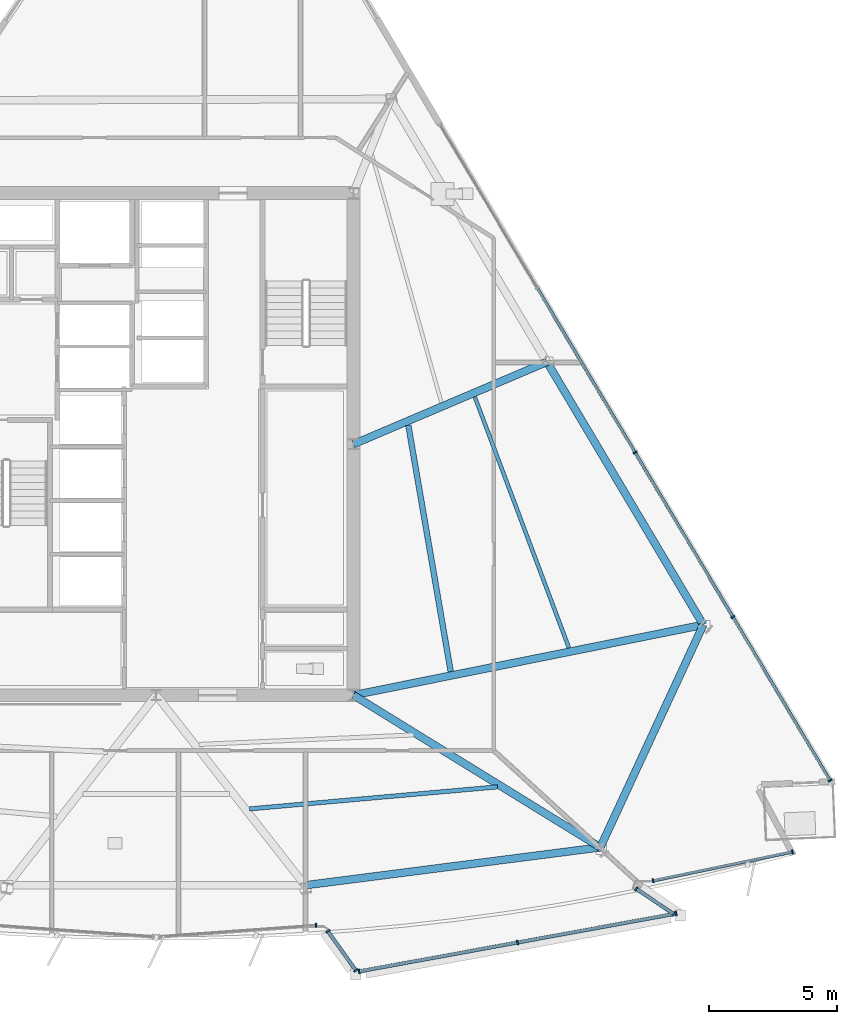
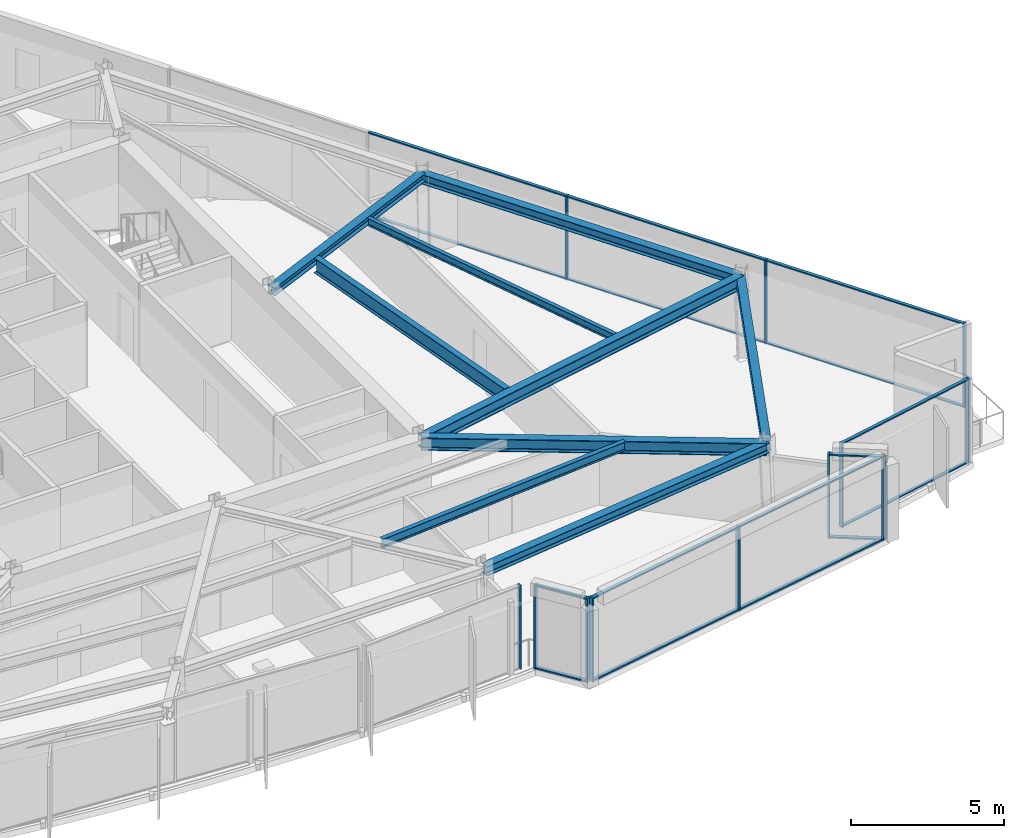
# One storey, part 5 of 13: 29 members, 9 beams, 6 elements without a shape of their own.
"""IFC4 building model written with IfcOpenShell, lengths in metres."""

import ifcopenshell
import ifcopenshell.guid

model = None  # the IFC model being written
_history = None  # IfcOwnerHistory: only IFC2X3 demands one
_inside = {}  # id of a spatial element -> (the spatial element, [elements in it])
_under = {}  # id of a project, library or spatial element -> (it, [spatial elements below it])
_declared = {}  # id of a project -> (the project, [libraries it declares])
_typed = {}  # id of a type object -> (the type object, [elements of that type])
_made_of = {}  # id of a material, layer set ... -> (it, [elements and type objects made of it])


def new_model(schema):
    """Start an empty IFC model of exactly this schema.

    Asked for "IFC4X3", IfcOpenShell would pick the latest addendum, in which some entities
    have other attributes; the version numbers below select the first issue.
    IFC2X3 requires an IfcOwnerHistory on every rooted entity: one is made here for all.
    """
    global model, _history
    if schema == "IFC4X3":
        model = ifcopenshell.file(schema_version=(4, 3, 0, 0))
    else:
        model = ifcopenshell.file(schema=schema)
    _inside.clear()
    _under.clear()
    _declared.clear()
    _typed.clear()
    _made_of.clear()
    _history = None
    if model.schema == "IFC2X3":
        org = make("IfcOrganization", Name="unknown")
        user = make(
            "IfcPersonAndOrganization",
            ThePerson=make("IfcPerson", FamilyName="unknown"),
            TheOrganization=org,
        )
        app = make(
            "IfcApplication",
            ApplicationDeveloper=org,
            Version="unknown",
            ApplicationFullName="unknown",
            ApplicationIdentifier="unknown",
        )
        _history = make(
            "IfcOwnerHistory",
            OwningUser=user,
            OwningApplication=app,
            ChangeAction="ADDED",
            CreationDate=0,
        )
    return model


def make(cls, **values):
    """One entity of the class cls with the attributes given. An attribute that is None is left unset."""
    return model.create_entity(
        cls, **{name: value for name, value in values.items() if value is not None}
    )


def rooted(cls, **values):
    """An entity with a GlobalId (a new one), such as an element, a storey or a relation."""
    return make(cls, GlobalId=ifcopenshell.guid.new(), OwnerHistory=_history, **values)


def si_unit(unit_type, name, prefix=None):
    """IfcSIUnit, for example si_unit("LENGTHUNIT", "METRE", prefix="MILLI")."""
    return make("IfcSIUnit", UnitType=unit_type, Prefix=prefix, Name=name)


def assignment(units):
    """IfcUnitAssignment: the units of a project."""
    return None if units is None else make("IfcUnitAssignment", Units=units)


def point(xyz):
    """IfcCartesianPoint."""
    return None if xyz is None else make("IfcCartesianPoint", Coordinates=xyz)


def direction(xyz):
    """IfcDirection."""
    return None if xyz is None else make("IfcDirection", DirectionRatios=xyz)


def frame(location, z_axis=None, x_axis=None):
    """IfcAxis2Placement3D, a coordinate frame: its origin and axes. An axis left out is left unset."""
    return make(
        "IfcAxis2Placement3D",
        Location=point(location),
        Axis=direction(z_axis),
        RefDirection=direction(x_axis),
    )


def frame_2d(location, x_axis=None):
    """IfcAxis2Placement2D, a coordinate frame in the plane: its origin and x axis."""
    return make(
        "IfcAxis2Placement2D", Location=point(location), RefDirection=direction(x_axis)
    )


def origin():
    """The frame at (0, 0, 0) with its axes left unset."""
    return frame((0.0, 0.0, 0.0))


def origin_2d():
    """The frame at (0, 0) in the plane with its x axis left unset."""
    return frame_2d((0.0, 0.0))


def place(relative_to, where):
    """IfcLocalPlacement: puts the frame where relative to a parent placement (None: the world)."""
    return make(
        "IfcLocalPlacement", PlacementRelTo=relative_to, RelativePlacement=where
    )


def context(
    kind, dimensions, precision=None, world=None, true_north=None, identifier=None
):
    """IfcGeometricRepresentationContext, for example the 3D "Model" context."""
    return make(
        "IfcGeometricRepresentationContext",
        ContextIdentifier=identifier,
        ContextType=kind,
        CoordinateSpaceDimension=dimensions,
        Precision=precision,
        WorldCoordinateSystem=world,
        TrueNorth=true_north,
    )


def subcontext(parent, identifier, kind, view, scale=None):
    """IfcGeometricRepresentationSubContext, for example "Body" below "Model"."""
    return make(
        "IfcGeometricRepresentationSubContext",
        ContextIdentifier=identifier,
        ContextType=kind,
        ParentContext=parent,
        TargetScale=scale,
        TargetView=view,
    )


def project(units=None, contexts=None):
    """IfcProject with its units and contexts."""
    return rooted(
        "IfcProject",
        Name="project",
        RepresentationContexts=contexts,
        UnitsInContext=assignment(units),
    )


def spatial(cls, under=None, at=None, **own):
    """A site, building, storey or space (cls), placed at a placement, below another one or the project."""
    s = rooted(cls, ObjectPlacement=at, **own)
    if under is not None:
        _under.setdefault(under.id(), (under, []))[1].append(s)
    return s


def profile(cls, at=None, kind="AREA", **sizes):
    """A parametric profile (cls). Its sizes go by their IFC names, for example OverallWidth=200.0."""
    return make(cls, ProfileType=kind, Position=at, **sizes)


def rectangle(**sizes):
    """IfcRectangleProfileDef."""
    return profile("IfcRectangleProfileDef", **sizes)


def i_section(**sizes):
    """IfcIShapeProfileDef."""
    return profile("IfcIShapeProfileDef", **sizes)


def extrude(swept, where, along, depth):
    """IfcExtrudedAreaSolid: the profile swept, set in the frame where, extruded along a direction by depth."""
    return make(
        "IfcExtrudedAreaSolid",
        SweptArea=swept,
        Position=where,
        ExtrudedDirection=direction(along),
        Depth=depth,
    )


def shape(context_of_items, identifier, shape_type, items):
    """IfcShapeRepresentation: the items that make up one representation, for example the "Body"."""
    return make(
        "IfcShapeRepresentation",
        ContextOfItems=context_of_items,
        RepresentationIdentifier=identifier,
        RepresentationType=shape_type,
        Items=items,
    )


def material(Name=None, Category=None):
    """IfcMaterial."""
    return make("IfcMaterial", Name=Name, Category=Category)


def material_profile(
    of_material, cross_section, Name=None, Category=None, Priority=None
):
    """IfcMaterialProfile: a cross section and its material."""
    return make(
        "IfcMaterialProfile",
        Name=Name,
        Material=of_material,
        Profile=cross_section,
        Priority=Priority,
        Category=Category,
    )


def profile_set(profiles, Name=None, composite=None):
    """IfcMaterialProfileSet."""
    return make(
        "IfcMaterialProfileSet",
        Name=Name,
        MaterialProfiles=profiles,
        CompositeProfile=composite,
    )


def made_of(thing, what):
    """Note that an element or type object is made of a material, layer set ...; save() writes the relation."""
    if what is not None:
        _made_of.setdefault(what.id(), (what, []))[1].append(thing)
    return thing


def type_object(cls, material=None, **own):
    """A type object (cls), such as IfcWallType, which elements share."""
    return made_of(rooted(cls, **own), material)


def element(
    cls,
    number,
    at=None,
    inside=None,
    cuts=None,
    type_object=None,
    material=None,
    context=None,
    identifier="Body",
    shape_type=None,
    held_by="IfcProductDefinitionShape",
    body=None,
    shapes=None,
    **own,
):
    """One element of the class cls, such as IfcWall. Its Tag is "e" and its number.

    at: its placement. inside: the storey or other place that contains it. cuts: it is an
    opening in that element (IfcRelVoidsElement). A single representation is given by context,
    identifier, shape_type and body (its items); several are given by shapes. held_by: the class
    of the entity that holds the representations. save() writes the other relations.
    """
    e = rooted(cls, Tag="e%d" % number, ObjectPlacement=at, **own)
    if body is not None:
        shapes = [shape(context, identifier, shape_type, body)]
    if shapes is not None:
        e.Representation = make(held_by, Representations=shapes)
    if inside is not None:
        _inside.setdefault(inside.id(), (inside, []))[1].append(e)
    if cuts is not None:
        rooted(
            "IfcRelVoidsElement", RelatingBuildingElement=cuts, RelatedOpeningElement=e
        )
    if type_object is not None:
        _typed.setdefault(type_object.id(), (type_object, []))[1].append(e)
    return made_of(e, material)


def aggregate(whole, parts):
    """IfcRelAggregates: a whole, such as a stair, and the parts it consists of."""
    return rooted("IfcRelAggregates", RelatingObject=whole, RelatedObjects=parts)


def save(model, path):
    """Write the relations noted so far, then the file.

    IfcRelAggregates (storeys below a building ...), IfcRelContainedInSpatialStructure (elements
    in a storey), IfcRelDefinesByType, IfcRelAssociatesMaterial and IfcRelDeclares: one each for
    every whole, place, type object, material and project.
    """
    for whole, parts in _under.values():
        aggregate(whole, parts)
    for where, things in _inside.values():
        rooted(
            "IfcRelContainedInSpatialStructure",
            RelatedElements=things,
            RelatingStructure=where,
        )
    for kind, things in _typed.values():
        rooted("IfcRelDefinesByType", RelatedObjects=things, RelatingType=kind)
    for what, things in _made_of.values():
        rooted("IfcRelAssociatesMaterial", RelatedObjects=things, RelatingMaterial=what)
    for by, libraries in _declared.values():
        rooted("IfcRelDeclares", RelatingContext=by, RelatedDefinitions=libraries)
    model.write(path)


model = new_model("IFC4")

# Units and contexts
model_context = context("Model", 3, precision=1e-05, world=origin(), true_north=direction((0.0, 1.0)))
body_context = subcontext(model_context, "Body", "Model", "MODEL_VIEW")
ifc_project = project(units=[si_unit("LENGTHUNIT", "METRE"), si_unit("AREAUNIT", "SQUARE_METRE"), si_unit("VOLUMEUNIT", "CUBIC_METRE"), si_unit("PLANEANGLEUNIT", "RADIAN"), si_unit("MASSUNIT", "GRAM", prefix="KILO")], contexts=[model_context])

# Site, building, storey
site_placement = place(None, origin())
site = spatial("IfcSite", under=ifc_project, at=site_placement, CompositionType="ELEMENT")
building_placement = place(site_placement, origin())
building = spatial("IfcBuilding", under=site, at=building_placement, Name="Savorim Split Tower", CompositionType="ELEMENT")
storey_placement = place(building_placement, frame((0.0, 0.0, 174.60009765625)))
storey = spatial("IfcBuildingStorey", under=building, at=storey_placement, Name="L46", CompositionType="ELEMENT", Elevation=174.60009765625)

# Beams
ifc_material_1 = material(Name="Steel S355", Category="steel")
ifc_material_profile_1 = material_profile(ifc_material_1, i_section(OverallWidth=0.14990234375, OverallDepth=0.300048828125, WebThickness=0.007080078125, FlangeThickness=0.0107421875, FilletRadius=0.014892578125, at=origin_2d()), Name="IPE 300")
ifc_profile_set_1 = profile_set([ifc_material_profile_1], Name="Steel S355")
beam_type_1 = type_object("IfcBeamType", Name="BM-JST-IPE300", PredefinedType="JOIST", material=ifc_profile_set_1)
beam_1_placement = place(storey_placement, frame((16.112060546875, -7.546875, 3.199951171875), z_axis=(-0.351215574845, 0.936294622427, 0.0), x_axis=(-0.936294622427, -0.351215574845, 0.0)))
element("IfcBeam", 1, at=beam_1_placement, inside=storey, type_object=beam_type_1, Name="L46 Secondary Floor Joist JS-06", PredefinedType="JOIST", context=body_context, shape_type="SweptSolid", body=[
    extrude(i_section(OverallWidth=0.14990234375, OverallDepth=0.300048828125, WebThickness=0.007080078125, FlangeThickness=0.0107421875, FilletRadius=0.014892578125, at=origin_2d()), origin(), (0.0, 0.0, 1.0), 10.4541015625),
])
ifc_material_profile_2 = material_profile(ifc_material_1, i_section(OverallWidth=0.169921875, OverallDepth=0.360107421875, WebThickness=0.008056640625, FlangeThickness=0.0126953125, FilletRadius=0.01806640625, at=origin_2d()), Name="IPE 360")
ifc_profile_set_2 = profile_set([ifc_material_profile_2], Name="Steel S355")
beam_type_2 = type_object("IfcBeamType", Name="BM-JST-IPE360", PredefinedType="JOIST", material=ifc_profile_set_2)
beam_2_placement = place(storey_placement, frame((3.64599609375, -13.8388671875, 3.169921875), z_axis=(0.996078105311, 0.088478291804, 0.0), x_axis=(-0.088478291804, 0.996078105311, 0.0)))
element("IfcBeam", 2, at=beam_2_placement, inside=storey, type_object=beam_type_2, Name="L46 Secondary Floor Joist JS-04", PredefinedType="JOIST", context=body_context, shape_type="SweptSolid", body=[
    extrude(i_section(OverallWidth=0.169921875, OverallDepth=0.360107421875, WebThickness=0.008056640625, FlangeThickness=0.0126953125, FilletRadius=0.01806640625, at=origin_2d()), origin(), (0.0, 0.0, 1.0), 9.715576171875),
])
ifc_material_profile_3 = material_profile(ifc_material_1, i_section(OverallWidth=0.219970703125, OverallDepth=0.60009765625, WebThickness=0.011962890625, FlangeThickness=0.01904296875, FilletRadius=0.02392578125, at=origin_2d()), Name="IPE 600")
ifc_profile_set_3 = profile_set([ifc_material_profile_3], Name="Steel S355")
beam_type_3 = type_object("IfcBeamType", Name="BM-JST-IPE600", PredefinedType="JOIST", material=ifc_profile_set_3)
beam_3_placement = place(storey_placement, frame((11.497314453125, -8.472900390625, 3.0498046875), z_axis=(-0.169623651837, 0.985508912561, 0.0), x_axis=(-0.985508912561, -0.169623651837, 0.0)))
element("IfcBeam", 3, at=beam_3_placement, inside=storey, type_object=beam_type_3, Name="L46 Secondary Floor Joist JS-08", PredefinedType="JOIST", context=body_context, shape_type="SweptSolid", body=[
    extrude(i_section(OverallWidth=0.219970703125, OverallDepth=0.60009765625, WebThickness=0.011962890625, FlangeThickness=0.01904296875, FilletRadius=0.02392578125, at=origin_2d()), origin(), (0.0, 0.0, 1.0), 9.755615234375),
])
ifc_material_profile_4 = material_profile(ifc_material_1, i_section(OverallWidth=0.300048828125, OverallDepth=0.320068359375, WebThickness=0.011474609375, FlangeThickness=0.0205078125, FilletRadius=0.027099609375, at=origin_2d()), Name="HEB 320")
ifc_profile_set_4 = profile_set([ifc_material_profile_4], Name="Steel S355")
beam_type_4 = type_object("IfcBeamType", Name="BM-PRI-HEB320", PredefinedType="BEAM", material=ifc_profile_set_4)
beam_4_placement = place(storey_placement, frame((15.25537109375, 3.611083984375, 3.18994140625), z_axis=(-0.920325298069, -0.391153864527, 0.0), x_axis=(0.391153864527, -0.920325298069, 0.0)))
element("IfcBeam", 4, at=beam_4_placement, inside=storey, type_object=beam_type_4, Name="L46 Primary Floor Girder RG-06", PredefinedType="BEAM", context=body_context, shape_type="SweptSolid", body=[
    extrude(i_section(OverallWidth=0.300048828125, OverallDepth=0.320068359375, WebThickness=0.011474609375, FlangeThickness=0.0205078125, FilletRadius=0.027099609375, at=origin_2d()), origin(), (0.0, 0.0, 1.0), 8.20947265625),
])
ifc_material_profile_5 = material_profile(ifc_material_1, i_section(OverallWidth=0.300048828125, OverallDepth=0.5, WebThickness=0.014404296875, FlangeThickness=0.028076171875, FilletRadius=0.027099609375, at=origin_2d()), Name="HEB 500")
ifc_profile_set_5 = profile_set([ifc_material_profile_5], Name="Steel S355")
beam_type_5 = type_object("IfcBeamType", Name="BM-PRI-HEB500", PredefinedType="BEAM", material=ifc_profile_set_5)
beam_5_placement = place(storey_placement, frame((17.33837890625, -15.341796875, 3.099853515625), z_axis=(-0.851241987084, 0.524773360056, 0.0), x_axis=(-0.524773360056, -0.851241987084, 0.0)))
element("IfcBeam", 5, at=beam_5_placement, inside=storey, type_object=beam_type_5, Name="L46 Primary Floor Girder RG-04", PredefinedType="BEAM", context=body_context, shape_type="SweptSolid", body=[
    extrude(i_section(OverallWidth=0.300048828125, OverallDepth=0.5, WebThickness=0.014404296875, FlangeThickness=0.028076171875, FilletRadius=0.027099609375, at=origin_2d()), origin(), (0.0, 0.0, 1.0), 11.32275390625),
])
beam_6_placement = place(storey_placement, frame((21.3583984375, -6.652587890625, 3.099853515625), z_axis=(-0.980364406191, -0.197194399193, 0.0), x_axis=(0.197194399193, -0.980364406191, 0.0)))
element("IfcBeam", 6, at=beam_6_placement, inside=storey, type_object=beam_type_5, Name="L46 Primary Floor Girder RG-05", PredefinedType="BEAM", context=body_context, shape_type="SweptSolid", body=[
    extrude(i_section(OverallWidth=0.300048828125, OverallDepth=0.5, WebThickness=0.014404296875, FlangeThickness=0.028076171875, FilletRadius=0.027099609375, at=origin_2d()), origin(), (0.0, 0.0, 1.0), 13.93212890625),
])
ifc_material_profile_6 = material_profile(ifc_material_1, i_section(OverallWidth=0.300048828125, OverallDepth=0.389892578125, WebThickness=0.010986328125, FlangeThickness=0.01904296875, FilletRadius=0.027099609375, at=origin_2d()), Name="HEA 400")
ifc_profile_set_6 = profile_set([ifc_material_profile_6], Name="Steel S355")
beam_type_6 = type_object("IfcBeamType", Name="BM-SPN-HEA400", PredefinedType="SPANDREL", material=ifc_profile_set_6)
beam_7_placement = place(storey_placement, frame((5.81103515625, -16.82177734375, 3.15478515625), z_axis=(0.991858685027, 0.127343429105, 0.0), x_axis=(-0.127343429105, 0.991858685027, 0.0)))
element("IfcBeam", 7, at=beam_7_placement, inside=storey, type_object=beam_type_6, Name="L46 Perimeter Spandrel Beam 3", PredefinedType="SPANDREL", context=body_context, shape_type="SweptSolid", body=[
    extrude(i_section(OverallWidth=0.300048828125, OverallDepth=0.389892578125, WebThickness=0.010986328125, FlangeThickness=0.01904296875, FilletRadius=0.027099609375, at=origin_2d()), origin(), (0.0, 0.0, 1.0), 11.6220703125),
])
beam_8_placement = place(storey_placement, frame((17.33837890625, -15.341796875, 3.15478515625), z_axis=(0.419885950516, 0.907576877493, 0.0), x_axis=(-0.907576877493, 0.419885950516, 0.0)))
element("IfcBeam", 8, at=beam_8_placement, inside=storey, type_object=beam_type_6, Name="L46 Perimeter Spandrel Beam 4", PredefinedType="SPANDREL", context=body_context, shape_type="SweptSolid", body=[
    extrude(i_section(OverallWidth=0.300048828125, OverallDepth=0.389892578125, WebThickness=0.010986328125, FlangeThickness=0.01904296875, FilletRadius=0.027099609375, at=origin_2d()), origin(), (0.0, 0.0, 1.0), 9.573974609375),
])
beam_9_placement = place(storey_placement, frame((21.3583984375, -6.652587890625, 3.15478515625), z_axis=(-0.511094172073, 0.859524721735, 0.0), x_axis=(-0.859524721735, -0.511094172073, 0.0)))
element("IfcBeam", 9, at=beam_9_placement, inside=storey, type_object=beam_type_6, Name="L46 Perimeter Spandrel Beam 5", PredefinedType="SPANDREL", context=body_context, shape_type="SweptSolid", body=[
    extrude(i_section(OverallWidth=0.300048828125, OverallDepth=0.389892578125, WebThickness=0.010986328125, FlangeThickness=0.01904296875, FilletRadius=0.027099609375, at=origin_2d()), origin(), (0.0, 0.0, 1.0), 11.941162109375),
])

# Curtain wall, member
ifc_material_2 = material(Name="Dark Ceramic-Fritted Insulated Glass", Category="glass")
curtain_wall_type_1 = type_object("IfcCurtainWallType", Name="CW-TWR-FRIT-B", PredefinedType="NOTDEFINED", material=ifc_material_2)
curtain_wall_1_placement = place(storey_placement, origin())
curtain_wall_1 = element("IfcCurtainWall", 10, at=curtain_wall_1_placement, inside=storey, type_object=curtain_wall_type_1, Name="L46 Curtain Wall CW-L46-SF3A", PredefinedType="NOTDEFINED")
ifc_material_3 = material(Name="Charcoal Anodised Aluminium", Category="aluminium")
ifc_material_profile_7 = material_profile(ifc_material_3, rectangle(XDim=0.159912109375, YDim=0.06005859375, at=origin_2d()), Name="ALU-M 160x60")
ifc_profile_set_7 = profile_set([ifc_material_profile_7], Name="Charcoal Anodised Aluminium")
member_type_1 = type_object("IfcMemberType", Name="CWM-160x60", PredefinedType="MULLION", material=ifc_profile_set_7)
member_1_placement = place(storey_placement, frame((6.239990234375, -18.384033203125, 0.0), z_axis=(0.0, 0.0, 1.0), x_axis=(-0.07156138189, 0.99743619777, 0.0)))
member_1 = element("IfcMember", 11, at=member_1_placement, type_object=member_type_1, Name="CW-03 mullion 2", PredefinedType="MULLION", context=body_context, shape_type="SweptSolid", body=[
    extrude(rectangle(XDim=0.159912109375, YDim=0.06005859375, at=origin_2d()), origin(), (0.0, 0.0, 1.0), 3.349853515625),
])
aggregate(curtain_wall_1, [member_1])

# Curtain wall, members
curtain_wall_2_placement = place(storey_placement, origin())
curtain_wall_2 = element("IfcCurtainWall", 12, at=curtain_wall_2_placement, inside=storey, type_object=curtain_wall_type_1, Name="L46 Curtain Wall CW-L46-SF4A", PredefinedType="NOTDEFINED")
member_2_placement = place(storey_placement, frame((19.401123046875, -16.645751953125, 0.0), z_axis=(0.0, 0.0, 1.0), x_axis=(-0.203220966883, 0.979132901408, 0.0)))
member_2 = element("IfcMember", 13, at=member_2_placement, type_object=member_type_1, Name="CW-03 mullion 1", PredefinedType="MULLION", context=body_context, shape_type="SweptSolid", body=[
    extrude(rectangle(XDim=0.159912109375, YDim=0.06005859375, at=origin_2d()), origin(), (0.0, 0.0, 1.0), 3.349853515625),
])
member_3_placement = place(storey_placement, frame((24.84033203125, -15.516845703125, 0.0), z_axis=(0.0, 0.0, 1.0), x_axis=(-0.203220966883, 0.979132901408, 0.0)))
member_3 = element("IfcMember", 14, at=member_3_placement, type_object=member_type_1, Name="CW-03 mullion 2", PredefinedType="MULLION", context=body_context, shape_type="SweptSolid", body=[
    extrude(rectangle(XDim=0.159912109375, YDim=0.06005859375, at=origin_2d()), origin(), (0.0, 0.0, 1.0), 3.349853515625),
])

curtain_wall_3_placement = place(storey_placement, origin())
curtain_wall_3 = element("IfcCurtainWall", 15, at=curtain_wall_3_placement, inside=storey, type_object=curtain_wall_type_1, Name="L46 Curtain Wall CW-L46-EAST", PredefinedType="NOTDEFINED")
member_4_placement = place(storey_placement, frame((26.31005859375, -12.7314453125, 0.0), z_axis=(0.0, 0.0, 1.0), x_axis=(-0.85952495128, -0.511093786039, 0.0)))
member_4 = element("IfcMember", 16, at=member_4_placement, type_object=member_type_1, Name="CW-03 mullion 1", PredefinedType="MULLION", context=body_context, shape_type="SweptSolid", body=[
    extrude(rectangle(XDim=0.159912109375, YDim=0.06005859375, at=origin_2d()), origin(), (0.0, 0.0, 1.0), 3.349853515625),
])
member_5_placement = place(storey_placement, frame((22.5107421875, -6.34228515625, 0.0), z_axis=(0.0, 0.0, 1.0), x_axis=(-0.85952495128, -0.511093786039, 0.0)))
member_5 = element("IfcMember", 17, at=member_5_placement, type_object=member_type_1, Name="CW-03 mullion 2", PredefinedType="MULLION", context=body_context, shape_type="SweptSolid", body=[
    extrude(rectangle(XDim=0.159912109375, YDim=0.06005859375, at=origin_2d()), origin(), (0.0, 0.0, 1.0), 3.349853515625),
])
member_6_placement = place(storey_placement, frame((18.6962890625, 0.07275390625, 0.0), z_axis=(0.0, 0.0, 1.0), x_axis=(-0.85952495128, -0.511093786039, 0.0)))
member_6 = element("IfcMember", 18, at=member_6_placement, type_object=member_type_1, Name="CW-03 mullion 3", PredefinedType="MULLION", context=body_context, shape_type="SweptSolid", body=[
    extrude(rectangle(XDim=0.159912109375, YDim=0.06005859375, at=origin_2d()), origin(), (0.0, 0.0, 1.0), 3.349853515625),
])

curtain_wall_type_2 = type_object("IfcCurtainWallType", Name="CW-BAY-LOUNGE", PredefinedType="NOTDEFINED", material=ifc_material_2)
curtain_wall_4_placement = place(storey_placement, origin())
curtain_wall_4 = element("IfcCurtainWall", 19, at=curtain_wall_4_placement, inside=storey, type_object=curtain_wall_type_2, Name="L46 Curtain Wall CW-L46-BAYF", PredefinedType="NOTDEFINED")
ifc_material_profile_8 = material_profile(ifc_material_3, rectangle(XDim=0.179931640625, YDim=0.06494140625, at=origin_2d()), Name="ALU-M 180x65")
ifc_profile_set_8 = profile_set([ifc_material_profile_8], Name="Charcoal Anodised Aluminium")
member_type_2 = type_object("IfcMemberType", Name="CWM-180x65", PredefinedType="MULLION", material=ifc_profile_set_8)
member_7_placement = place(storey_placement, frame((7.920654296875, -20.182861328125, 0.0), z_axis=(0.0, 0.0, 1.0), x_axis=(-0.17951808442, 0.983754673364, 0.0)))
member_7 = element("IfcMember", 20, at=member_7_placement, type_object=member_type_2, Name="CW-04 mullion 1", PredefinedType="MULLION", context=body_context, shape_type="SweptSolid", body=[
    extrude(rectangle(XDim=0.179931640625, YDim=0.06494140625, at=origin_2d()), origin(), (0.0, 0.0, 1.0), 3.349853515625),
])
member_8_placement = place(storey_placement, frame((14.107666015625, -19.053955078125, 0.0), z_axis=(0.0, 0.0, 1.0), x_axis=(-0.17951808442, 0.983754673364, 0.0)))
member_8 = element("IfcMember", 21, at=member_8_placement, type_object=member_type_2, Name="CW-04 mullion 2", PredefinedType="MULLION", context=body_context, shape_type="SweptSolid", body=[
    extrude(rectangle(XDim=0.179931640625, YDim=0.06494140625, at=origin_2d()), origin(), (0.0, 0.0, 1.0), 3.349853515625),
])
member_9_placement = place(storey_placement, frame((20.294677734375, -17.925048828125, 0.0), z_axis=(0.0, 0.0, 1.0), x_axis=(-0.17951808442, 0.983754673364, 0.0)))
member_9 = element("IfcMember", 22, at=member_9_placement, type_object=member_type_2, Name="CW-04 mullion 3", PredefinedType="MULLION", context=body_context, shape_type="SweptSolid", body=[
    extrude(rectangle(XDim=0.179931640625, YDim=0.06494140625, at=origin_2d()), origin(), (0.0, 0.0, 1.0), 3.349853515625),
])

curtain_wall_5_placement = place(storey_placement, origin())
curtain_wall_5 = element("IfcCurtainWall", 23, at=curtain_wall_5_placement, inside=storey, type_object=curtain_wall_type_2, Name="L46 Curtain Wall CW-L46-BAYW", PredefinedType="NOTDEFINED")
member_10_placement = place(storey_placement, frame((6.703369140625, -18.616943359375, 0.0), z_axis=(0.0, 0.0, 1.0), x_axis=(0.813834464468, 0.581096777176, 0.0)))
member_10 = element("IfcMember", 24, at=member_10_placement, type_object=member_type_2, Name="CW-04 mullion 1", PredefinedType="MULLION", context=body_context, shape_type="SweptSolid", body=[
    extrude(rectangle(XDim=0.179931640625, YDim=0.06494140625, at=origin_2d()), origin(), (0.0, 0.0, 1.0), 3.349853515625),
])
member_11_placement = place(storey_placement, frame((7.79296875, -20.142822265625, 0.0), z_axis=(0.0, 0.0, 1.0), x_axis=(0.813834464468, 0.581096777176, 0.0)))
member_11 = element("IfcMember", 25, at=member_11_placement, type_object=member_type_2, Name="CW-04 mullion 2", PredefinedType="MULLION", context=body_context, shape_type="SweptSolid", body=[
    extrude(rectangle(XDim=0.179931640625, YDim=0.06494140625, at=origin_2d()), origin(), (0.0, 0.0, 1.0), 3.349853515625),
])

curtain_wall_6_placement = place(storey_placement, origin())
curtain_wall_6 = element("IfcCurtainWall", 26, at=curtain_wall_6_placement, inside=storey, type_object=curtain_wall_type_2, Name="L46 Curtain Wall CW-L46-BAYE", PredefinedType="NOTDEFINED")
member_12_placement = place(storey_placement, frame((20.209716796875, -17.946044921875, 0.0), z_axis=(0.0, 0.0, 1.0), x_axis=(-0.558630218743, -0.829416830494, 0.0)))
member_12 = element("IfcMember", 27, at=member_12_placement, type_object=member_type_2, Name="CW-04 mullion 1", PredefinedType="MULLION", context=body_context, shape_type="SweptSolid", body=[
    extrude(rectangle(XDim=0.179931640625, YDim=0.06494140625, at=origin_2d()), origin(), (0.0, 0.0, 1.0), 3.349853515625),
])
member_13_placement = place(storey_placement, frame((18.74169921875, -16.957275390625, 0.0), z_axis=(0.0, 0.0, 1.0), x_axis=(-0.558630218743, -0.829416830494, 0.0)))
member_13 = element("IfcMember", 28, at=member_13_placement, type_object=member_type_2, Name="CW-04 mullion 2", PredefinedType="MULLION", context=body_context, shape_type="SweptSolid", body=[
    extrude(rectangle(XDim=0.179931640625, YDim=0.06494140625, at=origin_2d()), origin(), (0.0, 0.0, 1.0), 3.349853515625),
])

# Member
ifc_material_profile_9 = material_profile(ifc_material_3, rectangle(XDim=0.1201171875, YDim=0.050048828125, at=origin_2d()), Name="ALU-T 120x50")
ifc_profile_set_9 = profile_set([ifc_material_profile_9], Name="Charcoal Anodised Aluminium")
member_type_3 = type_object("IfcMemberType", Name="CWT-120x50", PredefinedType="USERDEFINED", material=ifc_profile_set_9)
member_14_placement = place(storey_placement, frame((19.4306640625, -16.6396484375, 0.02490234375), z_axis=(0.979133170264, 0.203219671512, 0.0), x_axis=(-0.203219671512, 0.979133170264, 0.0)))
member_14 = element("IfcMember", 29, at=member_14_placement, type_object=member_type_3, Name="CW-03 transom 1.1", ObjectType="TRANSOM", PredefinedType="USERDEFINED", context=body_context, shape_type="SweptSolid", body=[
    extrude(rectangle(XDim=0.1201171875, YDim=0.050048828125, at=origin_2d()), origin(), (0.0, 0.0, 1.0), 5.4951171875),
])

member_15_placement = place(storey_placement, frame((19.4306640625, -16.6396484375, 3.324951171875), z_axis=(0.979133170264, 0.203219671512, 0.0), x_axis=(-0.203219671512, 0.979133170264, 0.0)))
member_15 = element("IfcMember", 30, at=member_15_placement, type_object=member_type_3, Name="CW-03 transom 1.2", ObjectType="TRANSOM", PredefinedType="USERDEFINED", context=body_context, shape_type="SweptSolid", body=[
    extrude(rectangle(XDim=0.1201171875, YDim=0.050048828125, at=origin_2d()), origin(), (0.0, 0.0, 1.0), 5.4951171875),
])

aggregate(curtain_wall_2, [member_2, member_3, member_14, member_15])

member_16_placement = place(storey_placement, frame((26.294677734375, -12.70556640625, 0.02490234375), z_axis=(-0.511097871575, 0.859522521911, 0.0), x_axis=(-0.859522521911, -0.511097871575, 0.0)))
member_16 = element("IfcMember", 31, at=member_16_placement, type_object=member_type_3, Name="CW-03 transom 1.1", ObjectType="TRANSOM", PredefinedType="USERDEFINED", context=body_context, shape_type="SweptSolid", body=[
    extrude(rectangle(XDim=0.1201171875, YDim=0.050048828125, at=origin_2d()), origin(), (0.0, 0.0, 1.0), 7.37353515625),
])

member_17_placement = place(storey_placement, frame((26.294677734375, -12.70556640625, 3.324951171875), z_axis=(-0.511097871575, 0.859522521911, 0.0), x_axis=(-0.859522521911, -0.511097871575, 0.0)))
member_17 = element("IfcMember", 32, at=member_17_placement, type_object=member_type_3, Name="CW-03 transom 1.2", ObjectType="TRANSOM", PredefinedType="USERDEFINED", context=body_context, shape_type="SweptSolid", body=[
    extrude(rectangle(XDim=0.1201171875, YDim=0.050048828125, at=origin_2d()), origin(), (0.0, 0.0, 1.0), 7.37353515625),
])

member_18_placement = place(storey_placement, frame((22.495361328125, -6.31640625, 0.02490234375), z_axis=(-0.511072759011, 0.859537454098, 0.0), x_axis=(-0.859537454098, -0.511072759011, 0.0)))
member_18 = element("IfcMember", 33, at=member_18_placement, type_object=member_type_3, Name="CW-03 transom 2.1", ObjectType="TRANSOM", PredefinedType="USERDEFINED", context=body_context, shape_type="SweptSolid", body=[
    extrude(rectangle(XDim=0.1201171875, YDim=0.050048828125, at=origin_2d()), origin(), (0.0, 0.0, 1.0), 7.4033203125),
])

member_19_placement = place(storey_placement, frame((22.495361328125, -6.31640625, 3.324951171875), z_axis=(-0.511072759011, 0.859537454098, 0.0), x_axis=(-0.859537454098, -0.511072759011, 0.0)))
member_19 = element("IfcMember", 34, at=member_19_placement, type_object=member_type_3, Name="CW-03 transom 2.2", ObjectType="TRANSOM", PredefinedType="USERDEFINED", context=body_context, shape_type="SweptSolid", body=[
    extrude(rectangle(XDim=0.1201171875, YDim=0.050048828125, at=origin_2d()), origin(), (0.0, 0.0, 1.0), 7.4033203125),
])

member_20_placement = place(storey_placement, frame((18.680908203125, 0.0986328125, 0.02490234375), z_axis=(-0.511097121727, 0.859522967792, 0.0), x_axis=(-0.859522967792, -0.511097121727, 0.0)))
member_20 = element("IfcMember", 35, at=member_20_placement, type_object=member_type_3, Name="CW-03 transom 3.1", ObjectType="TRANSOM", PredefinedType="USERDEFINED", context=body_context, shape_type="SweptSolid", body=[
    extrude(rectangle(XDim=0.1201171875, YDim=0.050048828125, at=origin_2d()), origin(), (0.0, 0.0, 1.0), 7.403564453125),
])

member_21_placement = place(storey_placement, frame((18.680908203125, 0.0986328125, 3.324951171875), z_axis=(-0.511097121727, 0.859522967792, 0.0), x_axis=(-0.859522967792, -0.511097121727, 0.0)))
member_21 = element("IfcMember", 36, at=member_21_placement, type_object=member_type_3, Name="CW-03 transom 3.2", ObjectType="TRANSOM", PredefinedType="USERDEFINED", context=body_context, shape_type="SweptSolid", body=[
    extrude(rectangle(XDim=0.1201171875, YDim=0.050048828125, at=origin_2d()), origin(), (0.0, 0.0, 1.0), 7.403564453125),
])

aggregate(curtain_wall_3, [member_4, member_5, member_6, member_16, member_17, member_18, member_19, member_20, member_21])

ifc_material_profile_10 = material_profile(ifc_material_3, rectangle(XDim=0.139892578125, YDim=0.054931640625, at=origin_2d()), Name="ALU-T 140x55")
ifc_profile_set_10 = profile_set([ifc_material_profile_10], Name="Charcoal Anodised Aluminium")
member_type_4 = type_object("IfcMemberType", Name="CWT-140x55", PredefinedType="USERDEFINED", material=ifc_profile_set_10)
member_22_placement = place(storey_placement, frame((7.95263671875, -20.17724609375, 0.02734375), z_axis=(0.983752338434, 0.179530879307, 0.0), x_axis=(-0.179530879307, 0.983752338434, 0.0)))
member_22 = element("IfcMember", 37, at=member_22_placement, type_object=member_type_4, Name="CW-04 transom 1.1", ObjectType="TRANSOM", PredefinedType="USERDEFINED", context=body_context, shape_type="SweptSolid", body=[
    extrude(rectangle(XDim=0.139892578125, YDim=0.054931640625, at=origin_2d()), origin(), (0.0, 0.0, 1.0), 6.22412109375),
])

member_23_placement = place(storey_placement, frame((7.95263671875, -20.17724609375, 3.322509765625), z_axis=(0.983752338434, 0.179530879307, 0.0), x_axis=(-0.179530879307, 0.983752338434, 0.0)))
member_23 = element("IfcMember", 38, at=member_23_placement, type_object=member_type_4, Name="CW-04 transom 1.2", ObjectType="TRANSOM", PredefinedType="USERDEFINED", context=body_context, shape_type="SweptSolid", body=[
    extrude(rectangle(XDim=0.139892578125, YDim=0.054931640625, at=origin_2d()), origin(), (0.0, 0.0, 1.0), 6.22412109375),
])

member_24_placement = place(storey_placement, frame((14.1396484375, -19.048095703125, 0.02734375), z_axis=(0.983752338434, 0.179530879307, 0.0), x_axis=(-0.179530879307, 0.983752338434, 0.0)))
member_24 = element("IfcMember", 39, at=member_24_placement, type_object=member_type_4, Name="CW-04 transom 2.1", ObjectType="TRANSOM", PredefinedType="USERDEFINED", context=body_context, shape_type="SweptSolid", body=[
    extrude(rectangle(XDim=0.139892578125, YDim=0.054931640625, at=origin_2d()), origin(), (0.0, 0.0, 1.0), 6.22412109375),
])

member_25_placement = place(storey_placement, frame((14.1396484375, -19.048095703125, 3.322509765625), z_axis=(0.983752338434, 0.179530879307, 0.0), x_axis=(-0.179530879307, 0.983752338434, 0.0)))
member_25 = element("IfcMember", 40, at=member_25_placement, type_object=member_type_4, Name="CW-04 transom 2.2", ObjectType="TRANSOM", PredefinedType="USERDEFINED", context=body_context, shape_type="SweptSolid", body=[
    extrude(rectangle(XDim=0.139892578125, YDim=0.054931640625, at=origin_2d()), origin(), (0.0, 0.0, 1.0), 6.22412109375),
])

aggregate(curtain_wall_4, [member_7, member_8, member_9, member_22, member_23, member_24, member_25])

member_26_placement = place(storey_placement, frame((6.722412109375, -18.643310546875, 0.02734375), z_axis=(0.581123345743, -0.813815493237, 0.0), x_axis=(0.813815493237, 0.581123345743, 0.0)))
member_26 = element("IfcMember", 41, at=member_26_placement, type_object=member_type_4, Name="CW-04 transom 1.1", ObjectType="TRANSOM", PredefinedType="USERDEFINED", context=body_context, shape_type="SweptSolid", body=[
    extrude(rectangle(XDim=0.139892578125, YDim=0.054931640625, at=origin_2d()), origin(), (0.0, 0.0, 1.0), 1.809814453125),
])

member_27_placement = place(storey_placement, frame((6.722412109375, -18.643310546875, 3.322509765625), z_axis=(0.581123345743, -0.813815493237, 0.0), x_axis=(0.813815493237, 0.581123345743, 0.0)))
member_27 = element("IfcMember", 42, at=member_27_placement, type_object=member_type_4, Name="CW-04 transom 1.2", ObjectType="TRANSOM", PredefinedType="USERDEFINED", context=body_context, shape_type="SweptSolid", body=[
    extrude(rectangle(XDim=0.139892578125, YDim=0.054931640625, at=origin_2d()), origin(), (0.0, 0.0, 1.0), 1.809814453125),
])

aggregate(curtain_wall_5, [member_10, member_11, member_26, member_27])

member_28_placement = place(storey_placement, frame((20.182861328125, -17.927978515625, 0.02734375), z_axis=(-0.829464003878, 0.558560172471, 0.0), x_axis=(-0.558560172471, -0.829464003878, 0.0)))
member_28 = element("IfcMember", 43, at=member_28_placement, type_object=member_type_4, Name="CW-04 transom 1.1", ObjectType="TRANSOM", PredefinedType="USERDEFINED", context=body_context, shape_type="SweptSolid", body=[
    extrude(rectangle(XDim=0.139892578125, YDim=0.054931640625, at=origin_2d()), origin(), (0.0, 0.0, 1.0), 1.705078125),
])

member_29_placement = place(storey_placement, frame((20.182861328125, -17.927978515625, 3.322509765625), z_axis=(-0.829464003878, 0.558560172471, 0.0), x_axis=(-0.558560172471, -0.829464003878, 0.0)))
member_29 = element("IfcMember", 44, at=member_29_placement, type_object=member_type_4, Name="CW-04 transom 1.2", ObjectType="TRANSOM", PredefinedType="USERDEFINED", context=body_context, shape_type="SweptSolid", body=[
    extrude(rectangle(XDim=0.139892578125, YDim=0.054931640625, at=origin_2d()), origin(), (0.0, 0.0, 1.0), 1.705078125),
])

aggregate(curtain_wall_6, [member_12, member_13, member_28, member_29])

save(model, "model.ifc")
